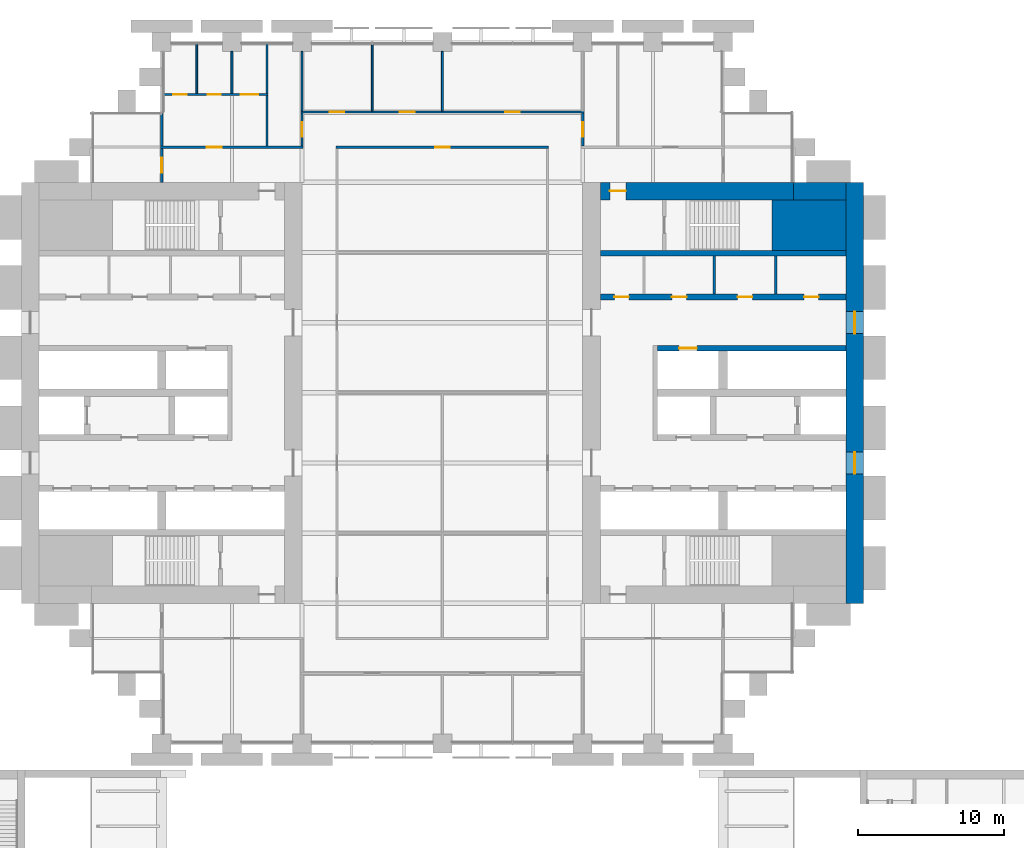
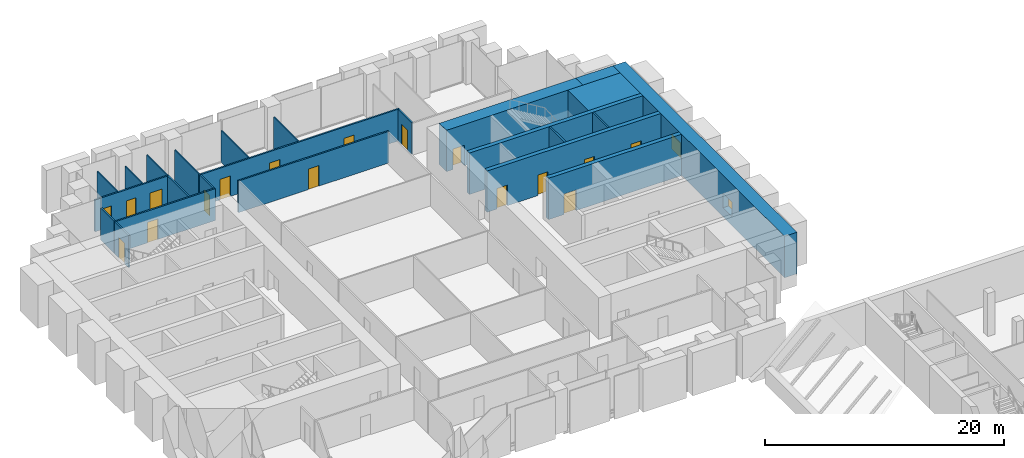
# One storey, part 24 of 30: 24 walls, 17 doors, 2 windows, 19 openings.
"""IFC4 building model written with IfcOpenShell, lengths in metres."""

from ifc_helpers import new_model, si_unit, direction, frame, frame_2d, origin, place, context, subcontext, project, spatial, rectangle, extrude, material, layer, layer_set, type_object, element, fill, save


model = new_model("IFC4")

# Units and contexts
model_context = context("Model", 3, precision=1e-05, world=origin(), true_north=direction((0.0, 1.0)))
body_context = subcontext(model_context, "Body", "Model", "MODEL_VIEW")
ifc_project = project(units=[si_unit("LENGTHUNIT", "METRE"), si_unit("AREAUNIT", "SQUARE_METRE"), si_unit("VOLUMEUNIT", "CUBIC_METRE"), si_unit("PLANEANGLEUNIT", "RADIAN"), si_unit("MASSUNIT", "GRAM", prefix="KILO")], contexts=[model_context])

# Site, building, storey
site_placement = place(None, origin())
site = spatial("IfcSite", under=ifc_project, at=site_placement, CompositionType="ELEMENT")
building_placement = place(site_placement, origin())
building = spatial("IfcBuilding", under=site, at=building_placement, Name="Baori Bourse Tower", CompositionType="ELEMENT")
storey_placement = place(building_placement, frame((0.0, 0.0, 17.0)))
storey = spatial("IfcBuildingStorey", under=building, at=storey_placement, Name="L02", CompositionType="ELEMENT", Elevation=17.0)

# Walls
ifc_material_1 = material(Name="Concrete f'c 70 MPa", Category="concrete")
wall_type_1 = type_object("IfcWallType", Name="Core corner block f'c 70", PredefinedType="SHEAR", material=ifc_material_1)
wall_1_placement = place(storey_placement, frame((51.35009765625, 35.47509765625, 0.0), z_axis=(0.0, 0.0, 1.0), x_axis=(1.0, 0.0, 0.0)))
element("IfcWall", 1, at=wall_1_placement, inside=storey, type_object=wall_type_1, Name="Core wall E22", PredefinedType="SHEAR", context=body_context, shape_type="SweptSolid", body=[
    extrude(rectangle(XDim=5.0498046875, YDim=3.449951171875, at=frame_2d((2.52490234375, 0.0))), origin(), (0.0, 0.0, 1.0), 4.239990234375),
])
ifc_material_2 = material(Name="Blockwork partition", Category="masonry")
ifc_layer_1 = layer(ifc_material_2, 0.14990234375)
ifc_layer_set_1 = layer_set([ifc_layer_1], Name="Core partition 150")
wall_type_2 = type_object("IfcWallType", Name="Core partition 150", PredefinedType="PARTITIONING", material=ifc_layer_set_1)
for number, where, z_axis, x_axis, name in (
    (2, (51.60009765625, 30.75, 0.0), (0.0, 0.0, 1.0), (0.0, 1.0, 0.0), "Partition wall E18"),
    (3, (47.39990234375, 30.75, 0.0), (0.0, 0.0, 1.0), (0.0, 1.0, 0.0), "Partition wall E19"),
):
    element("IfcWall", number, at=place(storey_placement, frame(where, z_axis=z_axis, x_axis=x_axis)), inside=storey, type_object=wall_type_2, Name=name, PredefinedType="PARTITIONING", context=body_context, shape_type="SweptSolid", body=[
        extrude(rectangle(XDim=2.60009765625, YDim=0.14990234375, at=frame_2d((1.300048828125, 0.0))), origin(), (0.0, 0.0, 1.0), 4.239990234375),
    ])

# Wall, openings, windows
ifc_material_3 = material(Name="Concrete f'c 70 MPa", Category="concrete")
ifc_layer_2 = layer(ifc_material_3, 1.199951171875)
ifc_layer_set_2 = layer_set([ifc_layer_2], Name="Core wall 1200 f'c 70")
wall_type_3 = type_object("IfcWallType", Name="Core wall 1200 f'c 70", PredefinedType="SHEAR", material=ifc_layer_set_2)
wall_2_placement = place(storey_placement, frame((57.0, 38.39990234375, 0.0), z_axis=(0.0, 0.0, 1.0), x_axis=(0.0, -1.0, 0.0)))
wall_2 = element("IfcWall", 4, at=wall_2_placement, inside=storey, type_object=wall_type_3, Name="Core wall E01", PredefinedType="SHEAR", context=body_context, shape_type="SweptSolid", body=[
    extrude(rectangle(XDim=28.7998046875, YDim=1.199951171875, at=frame_2d((14.39990234375, 0.0))), origin(), (0.0, 0.0, 1.0), 4.239990234375),
])
opening_1_placement = place(wall_2_placement, frame((18.449951171875, 0.0, 0.89990234375)))
opening_1 = element("IfcOpeningElement", 5, at=opening_1_placement, cuts=wall_2, Name="Opening L02-KW201", PredefinedType="OPENING", context=body_context, shape_type="SweptSolid", body=[
    extrude(rectangle(XDim=1.5, YDim=1.5, at=frame_2d((0.75, 0.75))), frame((0.0, 0.60986328125, 0.0), z_axis=(0.0, -1.0, 0.0), x_axis=(1.0, 0.0, 0.0)), (0.0, 0.0, 1.0), 1.219970703125),
])
opening_2_placement = place(wall_2_placement, frame((8.85009765625, 0.0, 0.89990234375)))
opening_2 = element("IfcOpeningElement", 6, at=opening_2_placement, cuts=wall_2, Name="Opening L02-KW202", PredefinedType="OPENING", context=body_context, shape_type="SweptSolid", body=[
    extrude(rectangle(XDim=1.5, YDim=1.5, at=frame_2d((0.75, 0.75))), frame((0.0, 0.60986328125, 0.0), z_axis=(0.0, -1.0, 0.0), x_axis=(1.0, 0.0, 0.0)), (0.0, 0.0, 1.0), 1.219970703125),
])
ifc_material_4 = material(Name="Pale anodised aluminium", Category="aluminium")
window_type = type_object("IfcWindowType", Name="Lobby window 1500 x 1500", PartitioningType="SINGLE_PANEL", PredefinedType="WINDOW", material=ifc_material_4)
window_1_placement = place(opening_1_placement, origin())
window_1 = element("IfcWindow", 7, at=window_1_placement, inside=storey, type_object=window_type, Name="Outer wall window E L02 1", OverallHeight=1.5, OverallWidth=1.5, PartitioningType="SINGLE_PANEL", PredefinedType="WINDOW", context=body_context, shape_type="SweptSolid", body=[
    extrude(rectangle(XDim=1.5, YDim=1.5, at=frame_2d((0.75, 0.75))), frame((0.0, 0.030029296875, 0.0), z_axis=(0.0, -1.0, 0.0), x_axis=(1.0, 0.0, 0.0)), (0.0, 0.0, 1.0), 0.06005859375),
])
fill(opening_1, window_1)
window_2_placement = place(opening_2_placement, origin())
window_2 = element("IfcWindow", 8, at=window_2_placement, inside=storey, type_object=window_type, Name="Outer wall window E L02 2", OverallHeight=1.5, OverallWidth=1.5, PartitioningType="SINGLE_PANEL", PredefinedType="WINDOW", context=body_context, shape_type="SweptSolid", body=[
    extrude(rectangle(XDim=1.5, YDim=1.5, at=frame_2d((0.75, 0.75))), frame((0.0, 0.030029296875, 0.0), z_axis=(0.0, -1.0, 0.0), x_axis=(1.0, 0.0, 0.0)), (0.0, 0.0, 1.0), 0.06005859375),
])
fill(opening_2, window_2)

# Wall
wall_3_placement = place(storey_placement, frame((52.800048828125, 37.800048828125, 0.0), z_axis=(0.0, 0.0, 1.0), x_axis=(1.0, 0.0, 0.0)))
element("IfcWall", 9, at=wall_3_placement, inside=storey, type_object=wall_type_3, Name="Core wall E24", PredefinedType="SHEAR", context=body_context, shape_type="SweptSolid", body=[
    extrude(rectangle(XDim=3.599853515625, YDim=1.199951171875, at=frame_2d((1.7998046875, 0.0))), origin(), (0.0, 0.0, 1.0), 4.239990234375),
])

# Wall, opening, door
wall_4_placement = place(storey_placement, frame((39.60009765625, 37.800048828125, 0.0), z_axis=(0.0, 0.0, 1.0), x_axis=(1.0, 0.0, 0.0)))
wall_4 = element("IfcWall", 10, at=wall_4_placement, inside=storey, type_object=wall_type_3, Name="Core wall E25", PredefinedType="SHEAR", context=body_context, shape_type="SweptSolid", body=[
    extrude(rectangle(XDim=13.199951171875, YDim=1.199951171875, at=frame_2d((6.60009765625, 0.0))), origin(), (0.0, 0.0, 1.0), 4.239990234375),
])
opening_3_placement = place(wall_4_placement, frame((0.64990234375, 0.0, 0.0)))
opening_3 = element("IfcOpeningElement", 11, at=opening_3_placement, cuts=wall_4, Name="Opening L02-D204", PredefinedType="OPENING", context=body_context, shape_type="SweptSolid", body=[
    extrude(rectangle(XDim=1.10009765625, YDim=2.10009765625, at=frame_2d((0.550048828125, 1.050048828125))), frame((0.0, 0.60986328125, 0.0), z_axis=(0.0, -1.0, 0.0), x_axis=(1.0, 0.0, 0.0)), (0.0, 0.0, 1.0), 1.219970703125),
])
ifc_material_5 = material(Name="Painted steel door", Category="steel")
door_type_1 = type_object("IfcDoorType", Name="Stair door 1100", OperationType="SINGLE_SWING_LEFT", PredefinedType="DOOR", material=ifc_material_5)
door_1_placement = place(opening_3_placement, origin())
door_1 = element("IfcDoor", 12, at=door_1_placement, inside=storey, type_object=door_type_1, Name="Stair vestibule door B E L02", OperationType="SINGLE_SWING_LEFT", OverallHeight=2.10009765625, OverallWidth=1.10009765625, PredefinedType="DOOR", context=body_context, shape_type="SweptSolid", body=[
    extrude(rectangle(XDim=1.10009765625, YDim=2.10009765625, at=frame_2d((0.550048828125, 1.050048828125))), frame((0.0, 0.02490234375, 0.0), z_axis=(0.0, -1.0, 0.0), x_axis=(1.0, 0.0, 0.0)), (0.0, 0.0, 1.0), 0.050048828125),
])
fill(opening_3, door_1)

ifc_material_6 = material(Name="Gypsum board partition")
ifc_layer_3 = layer(ifc_material_6, 0.14990234375)
ifc_layer_set_3 = layer_set([ifc_layer_3], Name="Corridor partition 150")
wall_type_4 = type_object("IfcWallType", Name="Corridor partition 150", PredefinedType="PARTITIONING", material=ifc_layer_set_3)
wall_5_placement = place(storey_placement, frame((9.52490234375, 40.800048828125, 0.0), z_axis=(0.0, 0.0, 1.0), x_axis=(1.0, 0.0, 0.0)))
wall_5 = element("IfcWall", 13, at=wall_5_placement, inside=storey, type_object=wall_type_4, Name="Partition", PredefinedType="PARTITIONING", context=body_context, shape_type="SweptSolid", body=[
    extrude(rectangle(XDim=9.75, YDim=0.14990234375, at=frame_2d((4.875, 0.0))), origin(), (0.0, 0.0, 1.0), 3.24951171875),
])
opening_4_placement = place(wall_5_placement, frame((3.175048828125, 0.0, 0.0)))
opening_4 = element("IfcOpeningElement", 14, at=opening_4_placement, cuts=wall_5, Name="Opening L02-D06", PredefinedType="OPENING", context=body_context, shape_type="SweptSolid", body=[
    extrude(rectangle(XDim=1.0, YDim=2.10009765625, at=frame_2d((0.5, 1.050048828125))), frame((0.0, 0.0849609375, 0.0), z_axis=(0.0, -1.0, 0.0), x_axis=(1.0, 0.0, 0.0)), (0.0, 0.0, 1.0), 0.169921875),
])
ifc_material_7 = material(Name="Timber door leaf", Category="wood")
door_type_2 = type_object("IfcDoorType", Name="Door 1000 x 2100", OperationType="SINGLE_SWING_LEFT", PredefinedType="DOOR", material=ifc_material_7)
door_2_placement = place(opening_4_placement, origin())
door_2 = element("IfcDoor", 15, at=door_2_placement, inside=storey, type_object=door_type_2, Name="Door", OperationType="SINGLE_SWING_LEFT", OverallHeight=2.10009765625, OverallWidth=1.0, PredefinedType="DOOR", context=body_context, shape_type="SweptSolid", body=[
    extrude(rectangle(XDim=1.0, YDim=2.10009765625, at=frame_2d((0.5, 1.050048828125))), frame((0.0, 0.02490234375, 0.0), z_axis=(0.0, -1.0, 0.0), x_axis=(1.0, 0.0, 0.0)), (0.0, 0.0, 1.0), 0.050048828125),
])
fill(opening_4, door_2)

wall_6_placement = place(storey_placement, frame((21.52490234375, 40.800048828125, 0.0), z_axis=(0.0, 0.0, 1.0), x_axis=(1.0, 0.0, 0.0)))
wall_6 = element("IfcWall", 16, at=wall_6_placement, inside=storey, type_object=wall_type_4, Name="Partition", PredefinedType="PARTITIONING", context=body_context, shape_type="SweptSolid", body=[
    extrude(rectangle(XDim=14.550048828125, YDim=0.14990234375, at=frame_2d((7.27490234375, 0.0))), origin(), (0.0, 0.0, 1.0), 3.24951171875),
])
opening_5_placement = place(wall_6_placement, frame((6.77490234375, 0.0, 0.0)))
opening_5 = element("IfcOpeningElement", 17, at=opening_5_placement, cuts=wall_6, Name="Opening L02-D07", PredefinedType="OPENING", context=body_context, shape_type="SweptSolid", body=[
    extrude(rectangle(XDim=1.0, YDim=2.10009765625, at=frame_2d((0.5, 1.050048828125))), frame((0.0, 0.0849609375, 0.0), z_axis=(0.0, -1.0, 0.0), x_axis=(1.0, 0.0, 0.0)), (0.0, 0.0, 1.0), 0.169921875),
])
door_3_placement = place(opening_5_placement, origin())
door_3 = element("IfcDoor", 18, at=door_3_placement, inside=storey, type_object=door_type_2, Name="Door", OperationType="SINGLE_SWING_LEFT", OverallHeight=2.10009765625, OverallWidth=1.0, PredefinedType="DOOR", context=body_context, shape_type="SweptSolid", body=[
    extrude(rectangle(XDim=1.0, YDim=2.10009765625, at=frame_2d((0.5, 1.050048828125))), frame((0.0, 0.02490234375, 0.0), z_axis=(0.0, -1.0, 0.0), x_axis=(1.0, 0.0, 0.0)), (0.0, 0.0, 1.0), 0.050048828125),
])
fill(opening_5, door_3)

# Wall, openings, doors
wall_7_placement = place(storey_placement, frame((19.125, 43.199951171875, 0.0), z_axis=(0.0, 0.0, 1.0), x_axis=(1.0, 0.0, 0.0)))
wall_7 = element("IfcWall", 19, at=wall_7_placement, inside=storey, type_object=wall_type_4, Name="Partition", PredefinedType="PARTITIONING", context=body_context, shape_type="SweptSolid", body=[
    extrude(rectangle(XDim=19.35009765625, YDim=0.14990234375, at=frame_2d((9.675048828125, 0.0))), origin(), (0.0, 0.0, 1.0), 3.24951171875),
])
opening_6_placement = place(wall_7_placement, frame((1.97509765625, 0.0, 0.0)))
opening_6 = element("IfcOpeningElement", 20, at=opening_6_placement, cuts=wall_7, Name="Opening L02-D09", PredefinedType="OPENING", context=body_context, shape_type="SweptSolid", body=[
    extrude(rectangle(XDim=1.0, YDim=2.10009765625, at=frame_2d((0.5, 1.050048828125))), frame((0.0, 0.0849609375, 0.0), z_axis=(0.0, -1.0, 0.0), x_axis=(1.0, 0.0, 0.0)), (0.0, 0.0, 1.0), 0.169921875),
])
opening_7_placement = place(wall_7_placement, frame((6.77490234375, 0.0, 0.0)))
opening_7 = element("IfcOpeningElement", 21, at=opening_7_placement, cuts=wall_7, Name="Opening L02-D10", PredefinedType="OPENING", context=body_context, shape_type="SweptSolid", body=[
    extrude(rectangle(XDim=1.0, YDim=2.10009765625, at=frame_2d((0.5, 1.050048828125))), frame((0.0, 0.0849609375, 0.0), z_axis=(0.0, -1.0, 0.0), x_axis=(1.0, 0.0, 0.0)), (0.0, 0.0, 1.0), 0.169921875),
])
opening_8_placement = place(wall_7_placement, frame((13.97509765625, 0.0, 0.0)))
opening_8 = element("IfcOpeningElement", 22, at=opening_8_placement, cuts=wall_7, Name="Opening L02-D11", PredefinedType="OPENING", context=body_context, shape_type="SweptSolid", body=[
    extrude(rectangle(XDim=1.0, YDim=2.10009765625, at=frame_2d((0.5, 1.050048828125))), frame((0.0, 0.0849609375, 0.0), z_axis=(0.0, -1.0, 0.0), x_axis=(1.0, 0.0, 0.0)), (0.0, 0.0, 1.0), 0.169921875),
])
door_4_placement = place(opening_6_placement, origin())
door_4 = element("IfcDoor", 23, at=door_4_placement, inside=storey, type_object=door_type_2, Name="Door", OperationType="SINGLE_SWING_RIGHT", OverallHeight=2.10009765625, OverallWidth=1.0, PredefinedType="DOOR", context=body_context, shape_type="SweptSolid", body=[
    extrude(rectangle(XDim=1.0, YDim=2.10009765625, at=frame_2d((0.5, 1.050048828125))), frame((0.0, 0.02490234375, 0.0), z_axis=(0.0, -1.0, 0.0), x_axis=(1.0, 0.0, 0.0)), (0.0, 0.0, 1.0), 0.050048828125),
])
fill(opening_6, door_4)
door_5_placement = place(opening_7_placement, origin())
door_5 = element("IfcDoor", 24, at=door_5_placement, inside=storey, type_object=door_type_2, Name="Door", OperationType="SINGLE_SWING_RIGHT", OverallHeight=2.10009765625, OverallWidth=1.0, PredefinedType="DOOR", context=body_context, shape_type="SweptSolid", body=[
    extrude(rectangle(XDim=1.0, YDim=2.10009765625, at=frame_2d((0.5, 1.050048828125))), frame((0.0, 0.02490234375, 0.0), z_axis=(0.0, -1.0, 0.0), x_axis=(1.0, 0.0, 0.0)), (0.0, 0.0, 1.0), 0.050048828125),
])
fill(opening_7, door_5)
door_6_placement = place(opening_8_placement, origin())
door_6 = element("IfcDoor", 25, at=door_6_placement, inside=storey, type_object=door_type_2, Name="Door", OperationType="SINGLE_SWING_LEFT", OverallHeight=2.10009765625, OverallWidth=1.0, PredefinedType="DOOR", context=body_context, shape_type="SweptSolid", body=[
    extrude(rectangle(XDim=1.0, YDim=2.10009765625, at=frame_2d((0.5, 1.050048828125))), frame((0.0, 0.02490234375, 0.0), z_axis=(0.0, -1.0, 0.0), x_axis=(1.0, 0.0, 0.0)), (0.0, 0.0, 1.0), 0.050048828125),
])
fill(opening_8, door_6)

wall_8_placement = place(storey_placement, frame((9.699951171875, 44.39990234375, 0.0), z_axis=(0.0, 0.0, 1.0), x_axis=(1.0, 0.0, 0.0)))
wall_8 = element("IfcWall", 26, at=wall_8_placement, inside=storey, type_object=wall_type_4, Name="Partition", PredefinedType="PARTITIONING", context=body_context, shape_type="SweptSolid", body=[
    extrude(rectangle(XDim=7.175048828125, YDim=0.14990234375, at=frame_2d((3.58740234375, 0.0))), origin(), (0.0, 0.0, 1.0), 3.24951171875),
])
opening_9_placement = place(wall_8_placement, frame((0.699951171875, 0.0, 0.0)))
opening_9 = element("IfcOpeningElement", 27, at=opening_9_placement, cuts=wall_8, Name="Opening L02-D12", PredefinedType="OPENING", context=body_context, shape_type="SweptSolid", body=[
    extrude(rectangle(XDim=0.89990234375, YDim=2.10009765625, at=frame_2d((0.449951171875, 1.050048828125))), frame((0.0, 0.0849609375, 0.0), z_axis=(0.0, -1.0, 0.0), x_axis=(1.0, 0.0, 0.0)), (0.0, 0.0, 1.0), 0.169921875),
])
opening_10_placement = place(wall_8_placement, frame((3.050048828125, 0.0, 0.0)))
opening_10 = element("IfcOpeningElement", 28, at=opening_10_placement, cuts=wall_8, Name="Opening L02-D13", PredefinedType="OPENING", context=body_context, shape_type="SweptSolid", body=[
    extrude(rectangle(XDim=0.89990234375, YDim=2.10009765625, at=frame_2d((0.449951171875, 1.050048828125))), frame((0.0, 0.0849609375, 0.0), z_axis=(0.0, -1.0, 0.0), x_axis=(1.0, 0.0, 0.0)), (0.0, 0.0, 1.0), 0.169921875),
])
opening_11_placement = place(wall_8_placement, frame((5.300048828125, 0.0, 0.0)))
opening_11 = element("IfcOpeningElement", 29, at=opening_11_placement, cuts=wall_8, Name="Opening L02-D14", PredefinedType="OPENING", context=body_context, shape_type="SweptSolid", body=[
    extrude(rectangle(XDim=1.199951171875, YDim=2.10009765625, at=frame_2d((0.60009765625, 1.050048828125))), frame((0.0, 0.0849609375, 0.0), z_axis=(0.0, -1.0, 0.0), x_axis=(1.0, 0.0, 0.0)), (0.0, 0.0, 1.0), 0.169921875),
])
ifc_material_8 = material(Name="Timber door leaf", Category="wood")
door_type_3 = type_object("IfcDoorType", Name="Door 1200 x 2100", OperationType="SINGLE_SWING_LEFT", PredefinedType="DOOR", material=ifc_material_8)
door_7_placement = place(opening_11_placement, origin())
door_7 = element("IfcDoor", 30, at=door_7_placement, inside=storey, type_object=door_type_3, Name="Door", OperationType="SINGLE_SWING_LEFT", OverallHeight=2.10009765625, OverallWidth=1.199951171875, PredefinedType="DOOR", context=body_context, shape_type="SweptSolid", body=[
    extrude(rectangle(XDim=1.199951171875, YDim=2.10009765625, at=frame_2d((0.60009765625, 1.050048828125))), frame((0.0, 0.02490234375, 0.0), z_axis=(0.0, -1.0, 0.0), x_axis=(1.0, 0.0, 0.0)), (0.0, 0.0, 1.0), 0.050048828125),
])
fill(opening_11, door_7)
ifc_material_9 = material(Name="Timber door leaf", Category="wood")
door_type_4 = type_object("IfcDoorType", Name="Door 900 x 2100", OperationType="SINGLE_SWING_LEFT", PredefinedType="DOOR", material=ifc_material_9)
door_8_placement = place(opening_9_placement, origin())
door_8 = element("IfcDoor", 31, at=door_8_placement, inside=storey, type_object=door_type_4, Name="Door", OperationType="SINGLE_SWING_RIGHT", OverallHeight=2.10009765625, OverallWidth=0.89990234375, PredefinedType="DOOR", context=body_context, shape_type="SweptSolid", body=[
    extrude(rectangle(XDim=0.89990234375, YDim=2.10009765625, at=frame_2d((0.449951171875, 1.050048828125))), frame((0.0, 0.02490234375, 0.0), z_axis=(0.0, -1.0, 0.0), x_axis=(1.0, 0.0, 0.0)), (0.0, 0.0, 1.0), 0.050048828125),
])
fill(opening_9, door_8)
door_9_placement = place(opening_10_placement, origin())
door_9 = element("IfcDoor", 32, at=door_9_placement, inside=storey, type_object=door_type_4, Name="Door", OperationType="SINGLE_SWING_RIGHT", OverallHeight=2.10009765625, OverallWidth=0.89990234375, PredefinedType="DOOR", context=body_context, shape_type="SweptSolid", body=[
    extrude(rectangle(XDim=0.89990234375, YDim=2.10009765625, at=frame_2d((0.449951171875, 1.050048828125))), frame((0.0, 0.02490234375, 0.0), z_axis=(0.0, -1.0, 0.0), x_axis=(1.0, 0.0, 0.0)), (0.0, 0.0, 1.0), 0.050048828125),
])
fill(opening_10, door_9)

# Wall, opening, door
wall_9_placement = place(storey_placement, frame((9.60009765625, 38.39990234375, 0.0), z_axis=(0.0, 0.0, 1.0), x_axis=(0.0, 1.0, 0.0)))
wall_9 = element("IfcWall", 33, at=wall_9_placement, inside=storey, type_object=wall_type_4, Name="Partition", PredefinedType="PARTITIONING", context=body_context, shape_type="SweptSolid", body=[
    extrude(rectangle(XDim=2.3251953125, YDim=0.14990234375, at=frame_2d((1.16259765625, 0.0))), origin(), (0.0, 0.0, 1.0), 3.24951171875),
])
opening_12_placement = place(wall_9_placement, frame((0.66259765625, 0.0, 0.0)))
opening_12 = element("IfcOpeningElement", 34, at=opening_12_placement, cuts=wall_9, Name="Opening L02-D16", PredefinedType="OPENING", context=body_context, shape_type="SweptSolid", body=[
    extrude(rectangle(XDim=1.0, YDim=2.10009765625, at=frame_2d((0.5, 1.050048828125))), frame((0.0, 0.0849609375, 0.0), z_axis=(0.0, -1.0, 0.0), x_axis=(1.0, 0.0, 0.0)), (0.0, 0.0, 1.0), 0.169921875),
])
door_10_placement = place(opening_12_placement, origin())
door_10 = element("IfcDoor", 35, at=door_10_placement, inside=storey, type_object=door_type_2, Name="Door", OperationType="SINGLE_SWING_RIGHT", OverallHeight=2.10009765625, OverallWidth=1.0, PredefinedType="DOOR", context=body_context, shape_type="SweptSolid", body=[
    extrude(rectangle(XDim=1.0, YDim=2.10009765625, at=frame_2d((0.5, 1.050048828125))), frame((0.0, 0.02490234375, 0.0), z_axis=(0.0, -1.0, 0.0), x_axis=(1.0, 0.0, 0.0)), (0.0, 0.0, 1.0), 0.050048828125),
])
fill(opening_12, door_10)

# Walls
wall_10_placement = place(storey_placement, frame((9.60009765625, 40.875, 0.0), z_axis=(0.0, 0.0, 1.0), x_axis=(0.0, 1.0, 0.0)))
element("IfcWall", 36, at=wall_10_placement, inside=storey, type_object=wall_type_4, Name="Partition", PredefinedType="PARTITIONING", context=body_context, shape_type="SweptSolid", body=[
    extrude(rectangle(XDim=2.22509765625, YDim=0.14990234375, at=frame_2d((1.112548828125, 0.0))), origin(), (0.0, 0.0, 1.0), 3.24951171875),
])
wall_11_placement = place(storey_placement, frame((16.800048828125, 40.875, 0.0), z_axis=(0.0, 0.0, 1.0), x_axis=(0.0, 1.0, 0.0)))
element("IfcWall", 37, at=wall_11_placement, inside=storey, type_object=wall_type_4, Name="Partition", PredefinedType="PARTITIONING", context=body_context, shape_type="SweptSolid", body=[
    extrude(rectangle(XDim=3.449951171875, YDim=0.14990234375, at=frame_2d((1.72509765625, 0.0))), origin(), (0.0, 0.0, 1.0), 3.24951171875),
])

# Wall, opening, door
wall_12_placement = place(storey_placement, frame((19.199951171875, 40.875, 0.0), z_axis=(0.0, 0.0, 1.0), x_axis=(0.0, 1.0, 0.0)))
wall_12 = element("IfcWall", 38, at=wall_12_placement, inside=storey, type_object=wall_type_4, Name="Partition", PredefinedType="PARTITIONING", context=body_context, shape_type="SweptSolid", body=[
    extrude(rectangle(XDim=2.25, YDim=0.14990234375, at=frame_2d((1.125, 0.0))), origin(), (0.0, 0.0, 1.0), 3.24951171875),
])
opening_13_placement = place(wall_12_placement, frame((0.625, 0.0, 0.0)))
opening_13 = element("IfcOpeningElement", 39, at=opening_13_placement, cuts=wall_12, Name="Opening L02-D17", PredefinedType="OPENING", context=body_context, shape_type="SweptSolid", body=[
    extrude(rectangle(XDim=1.0, YDim=2.10009765625, at=frame_2d((0.5, 1.050048828125))), frame((0.0, 0.0849609375, 0.0), z_axis=(0.0, -1.0, 0.0), x_axis=(1.0, 0.0, 0.0)), (0.0, 0.0, 1.0), 0.169921875),
])
door_11_placement = place(opening_13_placement, origin())
door_11 = element("IfcDoor", 40, at=door_11_placement, inside=storey, type_object=door_type_2, Name="Door", OperationType="SINGLE_SWING_RIGHT", OverallHeight=2.10009765625, OverallWidth=1.0, PredefinedType="DOOR", context=body_context, shape_type="SweptSolid", body=[
    extrude(rectangle(XDim=1.0, YDim=2.10009765625, at=frame_2d((0.5, 1.050048828125))), frame((0.0, 0.02490234375, 0.0), z_axis=(0.0, -1.0, 0.0), x_axis=(1.0, 0.0, 0.0)), (0.0, 0.0, 1.0), 0.050048828125),
])
fill(opening_13, door_11)

wall_13_placement = place(storey_placement, frame((38.39990234375, 40.875, 0.0), z_axis=(0.0, 0.0, 1.0), x_axis=(0.0, 1.0, 0.0)))
wall_13 = element("IfcWall", 41, at=wall_13_placement, inside=storey, type_object=wall_type_4, Name="Partition", PredefinedType="PARTITIONING", context=body_context, shape_type="SweptSolid", body=[
    extrude(rectangle(XDim=2.25, YDim=0.14990234375, at=frame_2d((1.125, 0.0))), origin(), (0.0, 0.0, 1.0), 3.24951171875),
])
opening_14_placement = place(wall_13_placement, frame((0.625, 0.0, 0.0)))
opening_14 = element("IfcOpeningElement", 42, at=opening_14_placement, cuts=wall_13, Name="Opening L02-D23", PredefinedType="OPENING", context=body_context, shape_type="SweptSolid", body=[
    extrude(rectangle(XDim=1.0, YDim=2.10009765625, at=frame_2d((0.5, 1.050048828125))), frame((0.0, 0.0849609375, 0.0), z_axis=(0.0, -1.0, 0.0), x_axis=(1.0, 0.0, 0.0)), (0.0, 0.0, 1.0), 0.169921875),
])
door_12_placement = place(opening_14_placement, origin())
door_12 = element("IfcDoor", 43, at=door_12_placement, inside=storey, type_object=door_type_2, Name="Door", OperationType="SINGLE_SWING_LEFT", OverallHeight=2.10009765625, OverallWidth=1.0, PredefinedType="DOOR", context=body_context, shape_type="SweptSolid", body=[
    extrude(rectangle(XDim=1.0, YDim=2.10009765625, at=frame_2d((0.5, 1.050048828125))), frame((0.0, 0.02490234375, 0.0), z_axis=(0.0, -1.0, 0.0), x_axis=(1.0, 0.0, 0.0)), (0.0, 0.0, 1.0), 0.050048828125),
])
fill(opening_14, door_12)

# Walls
ifc_material_10 = material(Name="Gypsum board partition")
ifc_layer_4 = layer(ifc_material_10, 0.125)
ifc_layer_set_4 = layer_set([ifc_layer_4], Name="Partition 125")
wall_type_5 = type_object("IfcWallType", Name="Partition 125", PredefinedType="PARTITIONING", material=ifc_layer_set_4)
wall_14_placement = place(storey_placement, frame((12.0, 44.47509765625, 0.0), z_axis=(0.0, 0.0, 1.0), x_axis=(0.0, 1.0, 0.0)))
element("IfcWall", 44, at=wall_14_placement, inside=storey, type_object=wall_type_5, Name="Partition", PredefinedType="PARTITIONING", context=body_context, shape_type="SweptSolid", body=[
    extrude(rectangle(XDim=3.4248046875, YDim=0.125, at=frame_2d((1.71240234375, 0.0))), origin(), (0.0, 0.0, 1.0), 3.24951171875),
])
wall_15_placement = place(storey_placement, frame((14.39990234375, 44.47509765625, 0.0), z_axis=(0.0, 0.0, 1.0), x_axis=(0.0, 1.0, 0.0)))
element("IfcWall", 45, at=wall_15_placement, inside=storey, type_object=wall_type_5, Name="Partition", PredefinedType="PARTITIONING", context=body_context, shape_type="SweptSolid", body=[
    extrude(rectangle(XDim=2.875, YDim=0.125, at=frame_2d((1.4375, 0.0))), origin(), (0.0, 0.0, 1.0), 3.24951171875),
])
wall_16_placement = place(storey_placement, frame((16.800048828125, 44.47509765625, 0.0), z_axis=(0.0, 0.0, 1.0), x_axis=(0.0, 1.0, 0.0)))
element("IfcWall", 46, at=wall_16_placement, inside=storey, type_object=wall_type_5, Name="Partition", PredefinedType="PARTITIONING", context=body_context, shape_type="SweptSolid", body=[
    extrude(rectangle(XDim=3.4248046875, YDim=0.125, at=frame_2d((1.71240234375, 0.0))), origin(), (0.0, 0.0, 1.0), 3.24951171875),
])
wall_17_placement = place(storey_placement, frame((19.199951171875, 43.27490234375, 0.0), z_axis=(0.0, 0.0, 1.0), x_axis=(0.0, 1.0, 0.0)))
element("IfcWall", 47, at=wall_17_placement, inside=storey, type_object=wall_type_5, Name="Partition", PredefinedType="PARTITIONING", context=body_context, shape_type="SweptSolid", body=[
    extrude(rectangle(XDim=4.0751953125, YDim=0.125, at=frame_2d((2.03759765625, 0.0))), origin(), (0.0, 0.0, 1.0), 3.24951171875),
])
wall_18_placement = place(storey_placement, frame((24.0, 43.27490234375, 0.0), z_axis=(0.0, 0.0, 1.0), x_axis=(0.0, 1.0, 0.0)))
element("IfcWall", 48, at=wall_18_placement, inside=storey, type_object=wall_type_5, Name="Partition", PredefinedType="PARTITIONING", context=body_context, shape_type="SweptSolid", body=[
    extrude(rectangle(XDim=4.625, YDim=0.125, at=frame_2d((2.3125, 0.0))), origin(), (0.0, 0.0, 1.0), 3.24951171875),
])
wall_19_placement = place(storey_placement, frame((28.800048828125, 43.27490234375, 0.0), z_axis=(0.0, 0.0, 1.0), x_axis=(0.0, 1.0, 0.0)))
element("IfcWall", 49, at=wall_19_placement, inside=storey, type_object=wall_type_5, Name="Partition", PredefinedType="PARTITIONING", context=body_context, shape_type="SweptSolid", body=[
    extrude(rectangle(XDim=4.0751953125, YDim=0.125, at=frame_2d((2.03759765625, 0.0))), origin(), (0.0, 0.0, 1.0), 3.24951171875),
])

# Wall, opening, door
ifc_material_11 = material(Name="Concrete f'c 70 MPa", Category="concrete")
ifc_layer_5 = layer(ifc_material_11, 0.39990234375)
ifc_layer_set_5 = layer_set([ifc_layer_5], Name="Shaft wall 400 f'c 70")
wall_type_6 = type_object("IfcWallType", Name="Shaft wall 400 f'c 70", PredefinedType="SHEAR", material=ifc_layer_set_5)
wall_20_placement = place(storey_placement, frame((43.5, 27.050048828125, 0.0), z_axis=(0.0, 0.0, 1.0), x_axis=(1.0, 0.0, 0.0)))
wall_20 = element("IfcWall", 50, at=wall_20_placement, inside=storey, type_object=wall_type_6, Name="Core wall E16", PredefinedType="SHEAR", context=body_context, shape_type="SweptSolid", body=[
    extrude(rectangle(XDim=12.89990234375, YDim=0.39990234375, at=frame_2d((6.449951171875, 0.0))), origin(), (0.0, 0.0, 1.0), 4.239990234375),
])
opening_15_placement = place(wall_20_placement, frame((1.5, 0.0, 0.0)))
opening_15 = element("IfcOpeningElement", 51, at=opening_15_placement, cuts=wall_20, Name="Opening L02-D219", PredefinedType="OPENING", context=body_context, shape_type="SweptSolid", body=[
    extrude(rectangle(XDim=1.199951171875, YDim=2.10009765625, at=frame_2d((0.60009765625, 1.050048828125))), frame((0.0, 0.2099609375, 0.0), z_axis=(0.0, -1.0, 0.0), x_axis=(1.0, 0.0, 0.0)), (0.0, 0.0, 1.0), 0.419921875),
])
ifc_material_12 = material(Name="Stainless steel door", Category="steel")
door_type_5 = type_object("IfcDoorType", Name="Lift landing door", OperationType="DOUBLE_DOOR_SLIDING", PredefinedType="DOOR", material=ifc_material_12)
door_13_placement = place(opening_15_placement, origin())
door_13 = element("IfcDoor", 52, at=door_13_placement, inside=storey, type_object=door_type_5, Name="Lift landing door SV1 E L02", OperationType="DOUBLE_DOOR_SLIDING", OverallHeight=2.10009765625, OverallWidth=1.199951171875, PredefinedType="DOOR", context=body_context, shape_type="SweptSolid", body=[
    extrude(rectangle(XDim=1.199951171875, YDim=2.10009765625, at=frame_2d((0.60009765625, 1.050048828125))), frame((0.0, 0.02490234375, 0.0), z_axis=(0.0, -1.0, 0.0), x_axis=(1.0, 0.0, 0.0)), (0.0, 0.0, 1.0), 0.050048828125),
])
fill(opening_15, door_13)

# Wall, openings, doors
wall_21_placement = place(storey_placement, frame((39.60009765625, 30.550048828125, 0.0), z_axis=(0.0, 0.0, 1.0), x_axis=(1.0, 0.0, 0.0)))
wall_21 = element("IfcWall", 53, at=wall_21_placement, inside=storey, type_object=wall_type_6, Name="Core wall E17", PredefinedType="SHEAR", context=body_context, shape_type="SweptSolid", body=[
    extrude(rectangle(XDim=16.7998046875, YDim=0.39990234375, at=frame_2d((8.39990234375, 0.0))), origin(), (0.0, 0.0, 1.0), 4.239990234375),
])
opening_16_placement = place(wall_21_placement, frame((13.9375, 0.0, 0.0)))
opening_16 = element("IfcOpeningElement", 54, at=opening_16_placement, cuts=wall_21, Name="Opening L02-D209", PredefinedType="OPENING", context=body_context, shape_type="SweptSolid", body=[
    extrude(rectangle(XDim=1.0, YDim=2.10009765625, at=frame_2d((0.5, 1.050048828125))), frame((0.0, 0.2099609375, 0.0), z_axis=(0.0, -1.0, 0.0), x_axis=(1.0, 0.0, 0.0)), (0.0, 0.0, 1.0), 0.419921875),
])
opening_17_placement = place(wall_21_placement, frame((9.39990234375, 0.0, 0.0)))
opening_17 = element("IfcOpeningElement", 55, at=opening_17_placement, cuts=wall_21, Name="Opening L02-D210", PredefinedType="OPENING", context=body_context, shape_type="SweptSolid", body=[
    extrude(rectangle(XDim=1.0, YDim=2.10009765625, at=frame_2d((0.5, 1.050048828125))), frame((0.0, 0.2099609375, 0.0), z_axis=(0.0, -1.0, 0.0), x_axis=(1.0, 0.0, 0.0)), (0.0, 0.0, 1.0), 0.419921875),
])
opening_18_placement = place(wall_21_placement, frame((4.89990234375, 0.0, 0.0)))
opening_18 = element("IfcOpeningElement", 56, at=opening_18_placement, cuts=wall_21, Name="Opening L02-D211", PredefinedType="OPENING", context=body_context, shape_type="SweptSolid", body=[
    extrude(rectangle(XDim=1.0, YDim=2.10009765625, at=frame_2d((0.5, 1.050048828125))), frame((0.0, 0.2099609375, 0.0), z_axis=(0.0, -1.0, 0.0), x_axis=(1.0, 0.0, 0.0)), (0.0, 0.0, 1.0), 0.419921875),
])
opening_19_placement = place(wall_21_placement, frame((0.96240234375, 0.0, 0.0)))
opening_19 = element("IfcOpeningElement", 57, at=opening_19_placement, cuts=wall_21, Name="Opening L02-D212", PredefinedType="OPENING", context=body_context, shape_type="SweptSolid", body=[
    extrude(rectangle(XDim=1.0, YDim=2.10009765625, at=frame_2d((0.5, 1.050048828125))), frame((0.0, 0.2099609375, 0.0), z_axis=(0.0, -1.0, 0.0), x_axis=(1.0, 0.0, 0.0)), (0.0, 0.0, 1.0), 0.419921875),
])
ifc_material_13 = material(Name="Painted steel door", Category="steel")
door_type_6 = type_object("IfcDoorType", Name="Core door 1000", OperationType="SINGLE_SWING_LEFT", PredefinedType="DOOR", material=ifc_material_13)
door_14_placement = place(opening_16_placement, origin())
door_14 = element("IfcDoor", 58, at=door_14_placement, inside=storey, type_object=door_type_6, Name="Men'S Wc door E L02", OperationType="SINGLE_SWING_LEFT", OverallHeight=2.10009765625, OverallWidth=1.0, PredefinedType="DOOR", context=body_context, shape_type="SweptSolid", body=[
    extrude(rectangle(XDim=1.0, YDim=2.10009765625, at=frame_2d((0.5, 1.050048828125))), frame((0.0, 0.02490234375, 0.0), z_axis=(0.0, -1.0, 0.0), x_axis=(1.0, 0.0, 0.0)), (0.0, 0.0, 1.0), 0.050048828125),
])
fill(opening_16, door_14)
door_15_placement = place(opening_17_placement, origin())
door_15 = element("IfcDoor", 59, at=door_15_placement, inside=storey, type_object=door_type_6, Name="Accessible Wc door E L02", OperationType="SINGLE_SWING_LEFT", OverallHeight=2.10009765625, OverallWidth=1.0, PredefinedType="DOOR", context=body_context, shape_type="SweptSolid", body=[
    extrude(rectangle(XDim=1.0, YDim=2.10009765625, at=frame_2d((0.5, 1.050048828125))), frame((0.0, 0.02490234375, 0.0), z_axis=(0.0, -1.0, 0.0), x_axis=(1.0, 0.0, 0.0)), (0.0, 0.0, 1.0), 0.050048828125),
])
fill(opening_17, door_15)
door_16_placement = place(opening_18_placement, origin())
door_16 = element("IfcDoor", 60, at=door_16_placement, inside=storey, type_object=door_type_6, Name="Women'S Wc door E L02", OperationType="SINGLE_SWING_LEFT", OverallHeight=2.10009765625, OverallWidth=1.0, PredefinedType="DOOR", context=body_context, shape_type="SweptSolid", body=[
    extrude(rectangle(XDim=1.0, YDim=2.10009765625, at=frame_2d((0.5, 1.050048828125))), frame((0.0, 0.02490234375, 0.0), z_axis=(0.0, -1.0, 0.0), x_axis=(1.0, 0.0, 0.0)), (0.0, 0.0, 1.0), 0.050048828125),
])
fill(opening_18, door_16)
ifc_material_14 = material(Name="Painted steel door", Category="steel")
door_type_7 = type_object("IfcDoorType", Name="Plant room door 1000", OperationType="SINGLE_SWING_LEFT", PredefinedType="DOOR", material=ifc_material_14)
door_17_placement = place(opening_19_placement, origin())
door_17 = element("IfcDoor", 61, at=door_17_placement, inside=storey, type_object=door_type_7, Name="Electrical Room door E L02", OperationType="SINGLE_SWING_LEFT", OverallHeight=2.10009765625, OverallWidth=1.0, PredefinedType="DOOR", context=body_context, shape_type="SweptSolid", body=[
    extrude(rectangle(XDim=1.0, YDim=2.10009765625, at=frame_2d((0.5, 1.050048828125))), frame((0.0, 0.02490234375, 0.0), z_axis=(0.0, -1.0, 0.0), x_axis=(1.0, 0.0, 0.0)), (0.0, 0.0, 1.0), 0.050048828125),
])
fill(opening_19, door_17)

# Wall
wall_22_placement = place(storey_placement, frame((39.60009765625, 33.550048828125, 0.0), z_axis=(0.0, 0.0, 1.0), x_axis=(1.0, 0.0, 0.0)))
element("IfcWall", 62, at=wall_22_placement, inside=storey, type_object=wall_type_6, Name="Core wall E21", PredefinedType="SHEAR", context=body_context, shape_type="SweptSolid", body=[
    extrude(rectangle(XDim=16.7998046875, YDim=0.39990234375, at=frame_2d((8.39990234375, 0.0))), origin(), (0.0, 0.0, 1.0), 4.239990234375),
])

save(model, "model.ifc")
